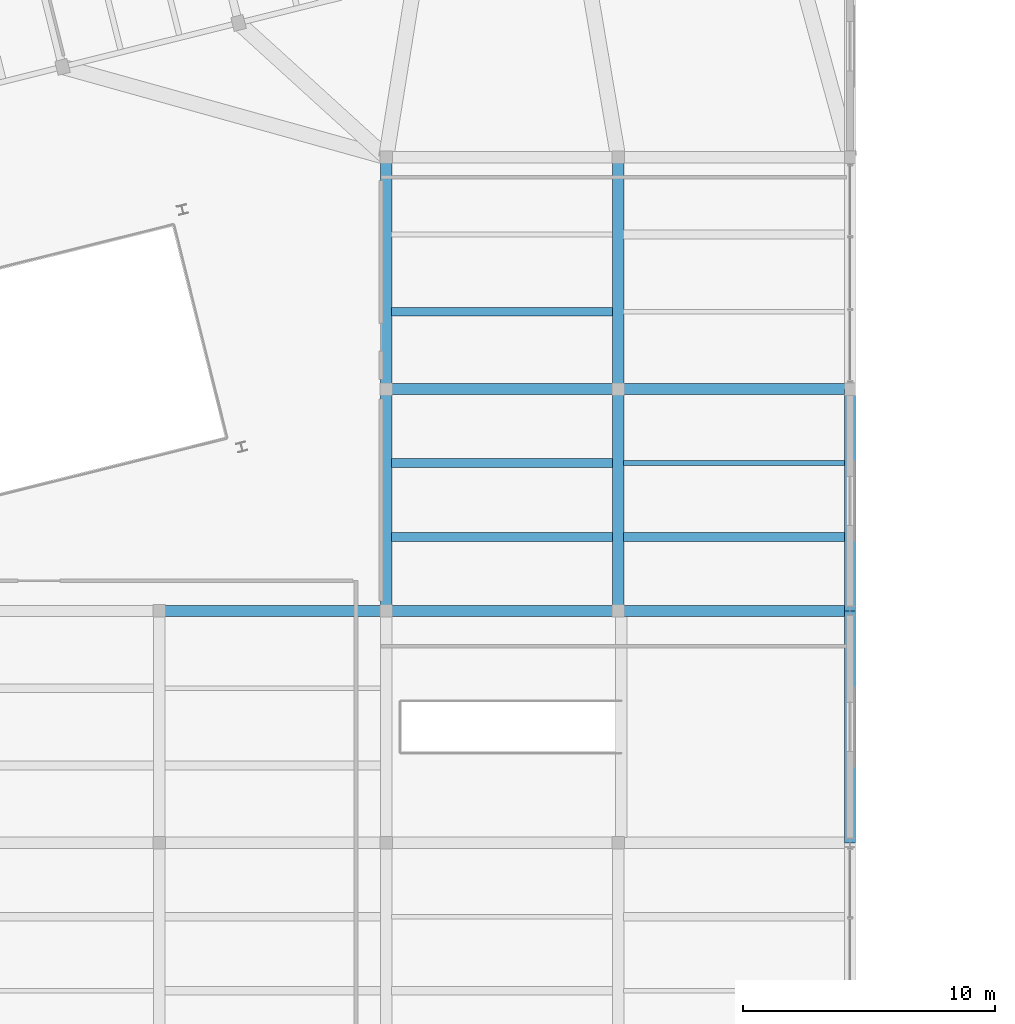
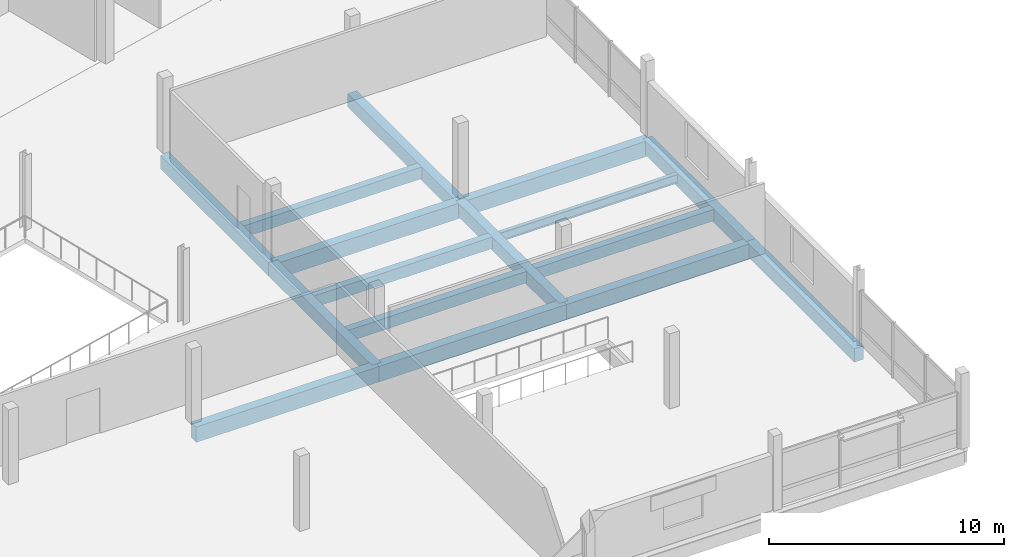
# One storey, part 15 of 62: 16 beams.
"""IFC4 building model written with IfcOpenShell, lengths in metres."""

from ifc_helpers import new_model, si_unit, direction, frame, origin, origin_2d, place, context, subcontext, project, spatial, rectangle, i_section, extrude, material, material_profile, profile_set, type_object, element, save


model = new_model("IFC4")

# Units and contexts
model_context = context("Model", 3, precision=1e-05, world=origin(), true_north=direction((0.0, 1.0)))
body_context = subcontext(model_context, "Body", "Model", "MODEL_VIEW")
ifc_project = project(units=[si_unit("LENGTHUNIT", "METRE"), si_unit("AREAUNIT", "SQUARE_METRE"), si_unit("VOLUMEUNIT", "CUBIC_METRE"), si_unit("PLANEANGLEUNIT", "RADIAN"), si_unit("MASSUNIT", "GRAM", prefix="KILO")], contexts=[model_context])

# Site, building, storey
site_placement = place(None, origin())
site = spatial("IfcSite", under=ifc_project, at=site_placement, CompositionType="ELEMENT")
building_placement = place(site_placement, origin())
building = spatial("IfcBuilding", under=site, at=building_placement, Name="Meriwether Solvik Hall", CompositionType="ELEMENT")
storey_placement = place(building_placement, frame((0.0, 0.0, 14.39990234375)))
storey = spatial("IfcBuildingStorey", under=building, at=storey_placement, Name="L03", CompositionType="ELEMENT", Elevation=14.39990234375)

# Beams
ifc_material_1 = material(Name="Concrete C40/50", Category="concrete")
ifc_material_profile_1 = material_profile(ifc_material_1, rectangle(XDim=0.35009765625, YDim=0.60009765625, at=origin_2d()), Name="RCB-350X600")
ifc_profile_set_1 = profile_set([ifc_material_profile_1], Name="Concrete C40/50")
beam_type_1 = type_object("IfcBeamType", Name="BM-RC-350X600", PredefinedType="JOIST", material=ifc_profile_set_1)
for number, where, z_axis, x_axis, name in (
    (1, (96.02001953125, 26.13330078125, -0.544921875), (1.0, 0.0, 0.0), (0.0, 1.0, 0.0), "Secondary Floor Joist 11/C_J1 (L03)"),
    (2, (96.02001953125, 29.066650390625, -0.544921875), (1.0, 0.0, 0.0), (0.0, 1.0, 0.0), "Secondary Floor Joist 11/C_J2 (L03)"),
    (3, (96.02001953125, 35.066650390625, -0.544921875), (1.0, 0.0, 0.0), (0.0, 1.0, 0.0), "Secondary Floor Joist 11/D_J1 (L03)"),
    (4, (105.219970703125, 26.13330078125, -0.544921875), (1.0, 0.0, 0.0), (0.0, 1.0, 0.0), "Secondary Floor Joist 12/C_J1 (L03)"),
):
    element("IfcBeam", number, at=place(storey_placement, frame(where, z_axis=z_axis, x_axis=x_axis)), inside=storey, type_object=beam_type_1, Name=name, PredefinedType="JOIST", context=body_context, shape_type="SweptSolid", body=[
        extrude(rectangle(XDim=0.35009765625, YDim=0.60009765625, at=origin_2d()), origin(), (0.0, 0.0, 1.0), 8.760009765625),
    ])
ifc_material_2 = material(Name="Concrete C40/50", Category="concrete")
ifc_material_profile_2 = material_profile(ifc_material_2, rectangle(XDim=0.449951171875, YDim=0.699951171875, at=origin_2d()), Name="RCB-450X700")
ifc_profile_set_2 = profile_set([ifc_material_profile_2], Name="Concrete C40/50")
beam_type_2 = type_object("IfcBeamType", Name="BM-RC-450X700", PredefinedType="BEAM", material=ifc_profile_set_2)
beam_1_placement = place(storey_placement, frame((95.800048828125, 23.199951171875, -0.594970703125), z_axis=(0.0, 1.0, 0.0), x_axis=(-1.0, 0.0, 0.0)))
element("IfcBeam", 5, at=beam_1_placement, inside=storey, type_object=beam_type_2, Name="Podium Girder 11:C-D (L03)", PredefinedType="BEAM", context=body_context, shape_type="SweptSolid", body=[
    extrude(rectangle(XDim=0.449951171875, YDim=0.699951171875, at=origin_2d()), origin(), (0.0, 0.0, 1.0), 8.800048828125),
])
beam_2_placement = place(storey_placement, frame((95.800048828125, 32.0, -0.594970703125), z_axis=(0.0, 1.0, 0.0), x_axis=(-1.0, 0.0, 0.0)))
element("IfcBeam", 6, at=beam_2_placement, inside=storey, type_object=beam_type_2, Name="Podium Girder 11:D-E (L03)", PredefinedType="BEAM", context=body_context, shape_type="SweptSolid", body=[
    extrude(rectangle(XDim=0.449951171875, YDim=0.699951171875, at=origin_2d()), origin(), (0.0, 0.0, 1.0), 9.199951171875),
])
beam_3_placement = place(storey_placement, frame((105.0, 23.199951171875, -0.594970703125), z_axis=(0.0, 1.0, 0.0), x_axis=(-1.0, 0.0, 0.0)))
element("IfcBeam", 7, at=beam_3_placement, inside=storey, type_object=beam_type_2, Name="Podium Girder 12:C-D (L03)", PredefinedType="BEAM", context=body_context, shape_type="SweptSolid", body=[
    extrude(rectangle(XDim=0.449951171875, YDim=0.699951171875, at=origin_2d()), origin(), (0.0, 0.0, 1.0), 8.800048828125),
])
for number, where, z_axis, x_axis, name in (
    (8, (105.0, 32.0, -0.594970703125), (0.0, 1.0, 0.0), (-1.0, 0.0, 0.0), "Podium Girder 12:D-E (L03)"),
    (9, (114.199951171875, 14.0, -0.594970703125), (0.0, 1.0, 0.0), (-1.0, 0.0, 0.0), "Podium Girder 13:B-C (L03)"),
):
    element("IfcBeam", number, at=place(storey_placement, frame(where, z_axis=z_axis, x_axis=x_axis)), inside=storey, type_object=beam_type_2, Name=name, PredefinedType="BEAM", context=body_context, shape_type="SweptSolid", body=[
        extrude(rectangle(XDim=0.449951171875, YDim=0.699951171875, at=origin_2d()), origin(), (0.0, 0.0, 1.0), 9.199951171875),
    ])
beam_4_placement = place(storey_placement, frame((114.199951171875, 23.199951171875, -0.594970703125), z_axis=(0.0, 1.0, 0.0), x_axis=(-1.0, 0.0, 0.0)))
element("IfcBeam", 10, at=beam_4_placement, inside=storey, type_object=beam_type_2, Name="Podium Girder 13:C-D (L03)", PredefinedType="BEAM", context=body_context, shape_type="SweptSolid", body=[
    extrude(rectangle(XDim=0.449951171875, YDim=0.699951171875, at=origin_2d()), origin(), (0.0, 0.0, 1.0), 8.800048828125),
])
ifc_material_3 = material(Name="Concrete C40/50", Category="concrete")
ifc_material_profile_3 = material_profile(ifc_material_3, rectangle(XDim=0.449951171875, YDim=0.800048828125, at=origin_2d()), Name="RCB-450X800")
ifc_profile_set_3 = profile_set([ifc_material_profile_3], Name="Concrete C40/50")
beam_type_3 = type_object("IfcBeamType", Name="BM-RC-450X800", PredefinedType="BEAM", material=ifc_profile_set_3)
beam_5_placement = place(storey_placement, frame((86.800048828125, 23.199951171875, -0.64501953125), z_axis=(1.0, 0.0, 0.0), x_axis=(0.0, 1.0, 0.0)))
element("IfcBeam", 11, at=beam_5_placement, inside=storey, type_object=beam_type_3, Name="Podium Girder C:10-11 (L03)", PredefinedType="BEAM", context=body_context, shape_type="SweptSolid", body=[
    extrude(rectangle(XDim=0.449951171875, YDim=0.800048828125, at=origin_2d()), origin(), (0.0, 0.0, 1.0), 9.0),
])
for number, where, z_axis, x_axis, name in (
    (12, (95.800048828125, 23.199951171875, -0.64501953125), (1.0, 0.0, 0.0), (0.0, 1.0, 0.0), "Podium Girder C:11-12 (L03)"),
    (13, (105.0, 23.199951171875, -0.64501953125), (1.0, 0.0, 0.0), (0.0, 1.0, 0.0), "Podium Girder C:12-13 (L03)"),
    (14, (95.800048828125, 32.0, -0.64501953125), (1.0, 0.0, 0.0), (0.0, 1.0, 0.0), "Podium Girder D:11-12 (L03)"),
    (15, (105.0, 32.0, -0.64501953125), (1.0, 0.0, 0.0), (0.0, 1.0, 0.0), "Podium Girder D:12-13 (L03)"),
):
    element("IfcBeam", number, at=place(storey_placement, frame(where, z_axis=z_axis, x_axis=x_axis)), inside=storey, type_object=beam_type_3, Name=name, PredefinedType="BEAM", context=body_context, shape_type="SweptSolid", body=[
        extrude(rectangle(XDim=0.449951171875, YDim=0.800048828125, at=origin_2d()), origin(), (0.0, 0.0, 1.0), 9.199951171875),
    ])
ifc_material_4 = material(Name="Steel A992 Grade 50", Category="steel")
ifc_material_profile_4 = material_profile(ifc_material_4, i_section(OverallWidth=0.19091796875, OverallDepth=0.45703125, WebThickness=0.009033203125, FlangeThickness=0.014404296875, at=origin_2d()), Name="W18X50")
ifc_profile_set_4 = profile_set([ifc_material_profile_4], Name="Steel A992 Grade 50")
beam_type_4 = type_object("IfcBeamType", Name="BM-STL-W18X50", PredefinedType="JOIST", material=ifc_profile_set_4)
beam_6_placement = place(storey_placement, frame((105.219970703125, 29.066650390625, -0.473388671875), z_axis=(1.0, 0.0, 0.0), x_axis=(0.0, 1.0, 0.0)))
element("IfcBeam", 16, at=beam_6_placement, inside=storey, type_object=beam_type_4, Name="Secondary Floor Joist 12/C_J2 (L03)", PredefinedType="JOIST", context=body_context, shape_type="SweptSolid", body=[
    extrude(i_section(OverallWidth=0.19091796875, OverallDepth=0.45703125, WebThickness=0.009033203125, FlangeThickness=0.014404296875, at=origin_2d()), origin(), (0.0, 0.0, 1.0), 8.760009765625),
])

save(model, "model.ifc")
